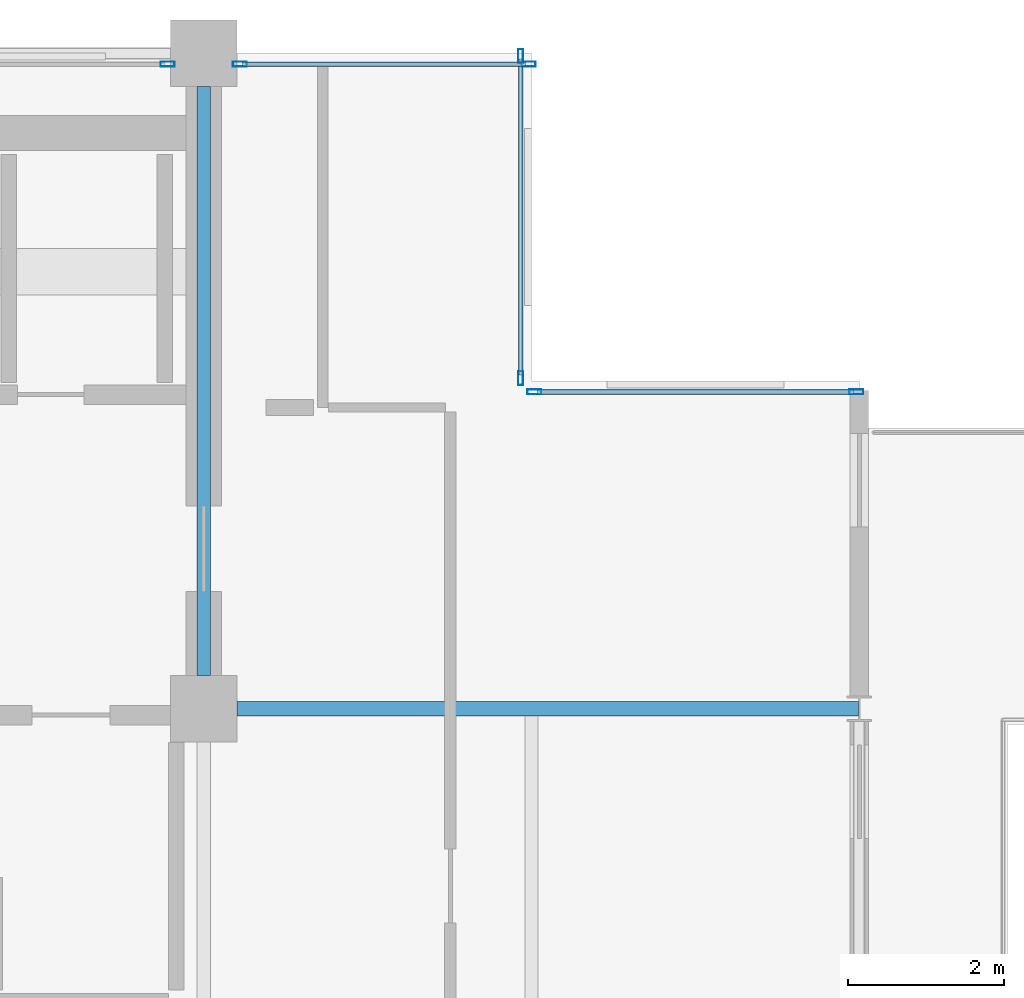
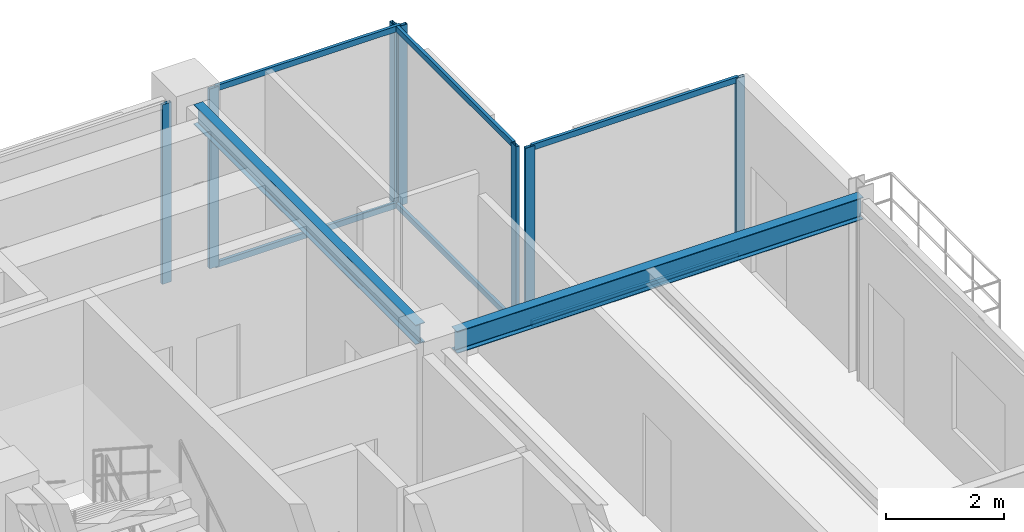
# One storey, part 19 of 26: 13 members, 2 beams, 4 elements without a shape of their own.
"""IFC4 building model written with IfcOpenShell, lengths in metres."""

from ifc_helpers import new_model, si_unit, direction, frame, origin, origin_2d, place, context, subcontext, project, spatial, hollow_rectangle, i_section, extrude, material, layer, layer_set, material_profile, profile_set, type_object, element, aggregate, save


model = new_model("IFC4")

# Units and contexts
model_context = context("Model", 3, precision=1e-05, world=origin(), true_north=direction((0.0, 1.0)))
body_context = subcontext(model_context, "Body", "Model", "MODEL_VIEW")
ifc_project = project(units=[si_unit("LENGTHUNIT", "METRE"), si_unit("AREAUNIT", "SQUARE_METRE"), si_unit("VOLUMEUNIT", "CUBIC_METRE"), si_unit("PLANEANGLEUNIT", "RADIAN"), si_unit("MASSUNIT", "GRAM", prefix="KILO")], contexts=[model_context])

# Site, building, storey
site_placement = place(None, origin())
site = spatial("IfcSite", under=ifc_project, at=site_placement, CompositionType="ELEMENT")
building_placement = place(site_placement, origin())
building = spatial("IfcBuilding", under=site, at=building_placement, Name="Nerrivon Quay Data Exchange", CompositionType="ELEMENT")
storey_placement = place(building_placement, frame((0.0, 0.0, 250.199951171875)))
storey = spatial("IfcBuildingStorey", under=building, at=storey_placement, Name="L59", CompositionType="ELEMENT", Elevation=250.199951171875)

# Beams
ifc_material_1 = material(Name="Steel Grade 350", Category="steel")
ifc_material_profile_1 = material_profile(ifc_material_1, i_section(OverallWidth=0.18994140625, OverallDepth=0.4541015625, WebThickness=0.008544921875, FlangeThickness=0.0126953125, FilletRadius=0.011474609375, at=origin_2d()), Name="460UB67.1")
ifc_profile_set_1 = profile_set([ifc_material_profile_1], Name="Steel Grade 350")
beam_type_1 = type_object("IfcBeamType", Name="BM-G6-460UB67", PredefinedType="BEAM", material=ifc_profile_set_1)
beam_1_placement = place(storey_placement, frame((17.22509765625, 33.60009765625, 3.498046875), z_axis=(1.0, 0.0, 0.0), x_axis=(0.0, 1.0, 0.0)))
element("IfcBeam", 1, at=beam_1_placement, inside=storey, type_object=beam_type_1, Name="L59 EW Girder Y=33.6 (16.8..25.2)", PredefinedType="BEAM", context=body_context, shape_type="SweptSolid", body=[
    extrude(i_section(OverallWidth=0.18994140625, OverallDepth=0.4541015625, WebThickness=0.008544921875, FlangeThickness=0.0126953125, FilletRadius=0.011474609375, at=origin_2d()), origin(), (0.0, 0.0, 1.0), 7.967041015625),
])
ifc_material_profile_2 = material_profile(ifc_material_1, i_section(OverallWidth=0.177978515625, OverallDepth=0.406005859375, WebThickness=0.0078125, FlangeThickness=0.0126953125, FilletRadius=0.011474609375, at=origin_2d()), Name="410UB59.7")
ifc_profile_set_2 = profile_set([ifc_material_profile_2], Name="Steel Grade 350")
beam_type_2 = type_object("IfcBeamType", Name="BM-J1-410UB60", PredefinedType="JOIST", material=ifc_profile_set_2)
beam_2_placement = place(storey_placement, frame((16.800048828125, 34.02490234375, 3.52197265625), z_axis=(0.0, 1.0, 0.0), x_axis=(-1.0, 0.0, 0.0)))
element("IfcBeam", 2, at=beam_2_placement, inside=storey, type_object=beam_type_2, Name="L59 NS Girder X=16.8 (33.6..42.0)", PredefinedType="JOIST", context=body_context, shape_type="SweptSolid", body=[
    extrude(i_section(OverallWidth=0.177978515625, OverallDepth=0.406005859375, WebThickness=0.0078125, FlangeThickness=0.0126953125, FilletRadius=0.011474609375, at=origin_2d()), origin(), (0.0, 0.0, 1.0), 7.550048828125),
])

# Curtain wall, member
ifc_material_2 = material(Name="Anodised aluminium 6063-T6", Category="aluminium")
ifc_layer = layer(ifc_material_2, 0.195068359375)
ifc_layer_set = layer_set([ifc_layer], Name="Anodised aluminium 6063-T6")
curtain_wall_type = type_object("IfcCurtainWallType", Name="CW-SYS-06", PredefinedType="NOTDEFINED", material=ifc_layer_set)
curtain_wall_1_placement = place(storey_placement, origin())
curtain_wall_1 = element("IfcCurtainWall", 3, at=curtain_wall_1_placement, inside=storey, type_object=curtain_wall_type, Name="L59 Unitised Curtain Wall 18", PredefinedType="NOTDEFINED")
ifc_material_profile_3 = material_profile(ifc_material_2, hollow_rectangle(XDim=0.06494140625, YDim=0.179931640625, WallThickness=0.00341796875, at=origin_2d()), Name="ALU-MULL-180x65")
ifc_profile_set_3 = profile_set([ifc_material_profile_3], Name="Anodised aluminium 6063-T6")
member_type_1 = type_object("IfcMemberType", Name="CWM-180x65", PredefinedType="MULLION", material=ifc_profile_set_3)
member_1_placement = place(storey_placement, frame((16.33740234375, 41.860107421875, 0.0), z_axis=(0.0, 0.0, 1.0), x_axis=(0.0, 1.0, 0.0)))
member_1 = element("IfcMember", 4, at=member_1_placement, type_object=member_type_1, Name="CW06 mullion 2", PredefinedType="MULLION", context=body_context, shape_type="SweptSolid", body=[
    extrude(hollow_rectangle(XDim=0.06494140625, YDim=0.179931640625, WallThickness=0.00341796875, at=origin_2d()), origin(), (0.0, 0.0, 1.0), 3.72509765625),
])
aggregate(curtain_wall_1, [member_1])

# Curtain wall, members
curtain_wall_2_placement = place(storey_placement, origin())
curtain_wall_2 = element("IfcCurtainWall", 5, at=curtain_wall_2_placement, inside=storey, type_object=curtain_wall_type, Name="L59 Unitised Curtain Wall 19", PredefinedType="NOTDEFINED")
member_2_placement = place(storey_placement, frame((17.262451171875, 41.860107421875, 0.0), z_axis=(0.0, 0.0, 1.0), x_axis=(0.0, 1.0, 0.0)))
member_2 = element("IfcMember", 6, at=member_2_placement, type_object=member_type_1, Name="CW06 mullion 1", PredefinedType="MULLION", context=body_context, shape_type="SweptSolid", body=[
    extrude(hollow_rectangle(XDim=0.06494140625, YDim=0.179931640625, WallThickness=0.00341796875, at=origin_2d()), origin(), (0.0, 0.0, 1.0), 3.72509765625),
])
member_3_placement = place(storey_placement, frame((20.96240234375, 41.860107421875, 0.0), z_axis=(0.0, 0.0, 1.0), x_axis=(0.0, 1.0, 0.0)))
member_3 = element("IfcMember", 7, at=member_3_placement, type_object=member_type_1, Name="CW06 mullion 2", PredefinedType="MULLION", context=body_context, shape_type="SweptSolid", body=[
    extrude(hollow_rectangle(XDim=0.06494140625, YDim=0.179931640625, WallThickness=0.00341796875, at=origin_2d()), origin(), (0.0, 0.0, 1.0), 3.72509765625),
])

curtain_wall_3_placement = place(storey_placement, origin())
curtain_wall_3 = element("IfcCurtainWall", 8, at=curtain_wall_3_placement, inside=storey, type_object=curtain_wall_type, Name="L59 Unitised Curtain Wall 20", PredefinedType="NOTDEFINED")
member_4_placement = place(storey_placement, frame((20.860107421875, 41.96240234375, 0.0), z_axis=(0.0, 0.0, 1.0), x_axis=(1.0, 0.0, 0.0)))
member_4 = element("IfcMember", 9, at=member_4_placement, type_object=member_type_1, Name="CW06 mullion 1", PredefinedType="MULLION", context=body_context, shape_type="SweptSolid", body=[
    extrude(hollow_rectangle(XDim=0.06494140625, YDim=0.179931640625, WallThickness=0.00341796875, at=origin_2d()), origin(), (0.0, 0.0, 1.0), 3.72509765625),
])
member_5_placement = place(storey_placement, frame((20.860107421875, 37.83740234375, 0.0), z_axis=(0.0, 0.0, 1.0), x_axis=(1.0, 0.0, 0.0)))
member_5 = element("IfcMember", 10, at=member_5_placement, type_object=member_type_1, Name="CW06 mullion 2", PredefinedType="MULLION", context=body_context, shape_type="SweptSolid", body=[
    extrude(hollow_rectangle(XDim=0.06494140625, YDim=0.179931640625, WallThickness=0.00341796875, at=origin_2d()), origin(), (0.0, 0.0, 1.0), 3.72509765625),
])

curtain_wall_4_placement = place(storey_placement, origin())
curtain_wall_4 = element("IfcCurtainWall", 11, at=curtain_wall_4_placement, inside=storey, type_object=curtain_wall_type, Name="L59 Unitised Curtain Wall 21", PredefinedType="NOTDEFINED")
member_6_placement = place(storey_placement, frame((21.03759765625, 37.659912109375, 0.0), z_axis=(0.0, 0.0, 1.0), x_axis=(0.0, 1.0, 0.0)))
member_6 = element("IfcMember", 12, at=member_6_placement, type_object=member_type_1, Name="CW06 mullion 1", PredefinedType="MULLION", context=body_context, shape_type="SweptSolid", body=[
    extrude(hollow_rectangle(XDim=0.06494140625, YDim=0.179931640625, WallThickness=0.00341796875, at=origin_2d()), origin(), (0.0, 0.0, 1.0), 3.72509765625),
])
member_7_placement = place(storey_placement, frame((25.16259765625, 37.659912109375, 0.0), z_axis=(0.0, 0.0, 1.0), x_axis=(0.0, 1.0, 0.0)))
member_7 = element("IfcMember", 13, at=member_7_placement, type_object=member_type_1, Name="CW06 mullion 2", PredefinedType="MULLION", context=body_context, shape_type="SweptSolid", body=[
    extrude(hollow_rectangle(XDim=0.06494140625, YDim=0.179931640625, WallThickness=0.00341796875, at=origin_2d()), origin(), (0.0, 0.0, 1.0), 3.72509765625),
])

# Member
ifc_material_profile_4 = material_profile(ifc_material_2, hollow_rectangle(XDim=0.06005859375, YDim=0.1201171875, WallThickness=0.003173828125, at=origin_2d()), Name="ALU-TRAN-120x60")
ifc_profile_set_4 = profile_set([ifc_material_profile_4], Name="Anodised aluminium 6063-T6")
member_type_2 = type_object("IfcMemberType", Name="CWT-120x60", PredefinedType="USERDEFINED", material=ifc_profile_set_4)
member_8_placement = place(storey_placement, frame((17.300048828125, 41.860107421875, 0.032470703125), z_axis=(1.0, 0.0, 0.0), x_axis=(0.0, 1.0, 0.0)))
member_8 = element("IfcMember", 14, at=member_8_placement, type_object=member_type_2, Name="CW06 transom 1.1", ObjectType="TRANSOM", PredefinedType="USERDEFINED", context=body_context, shape_type="SweptSolid", body=[
    extrude(hollow_rectangle(XDim=0.06005859375, YDim=0.1201171875, WallThickness=0.003173828125, at=origin_2d()), origin(), (0.0, 0.0, 1.0), 3.625),
])

member_9_placement = place(storey_placement, frame((17.300048828125, 41.860107421875, 3.692626953125), z_axis=(1.0, 0.0, 0.0), x_axis=(0.0, 1.0, 0.0)))
member_9 = element("IfcMember", 15, at=member_9_placement, type_object=member_type_2, Name="CW06 transom 1.2", ObjectType="TRANSOM", PredefinedType="USERDEFINED", context=body_context, shape_type="SweptSolid", body=[
    extrude(hollow_rectangle(XDim=0.06005859375, YDim=0.1201171875, WallThickness=0.003173828125, at=origin_2d()), origin(), (0.0, 0.0, 1.0), 3.625),
])

aggregate(curtain_wall_2, [member_2, member_3, member_8, member_9])

member_10_placement = place(storey_placement, frame((20.860107421875, 41.925048828125, 0.032470703125), z_axis=(0.0, -1.0, 0.0), x_axis=(1.0, 0.0, 0.0)))
member_10 = element("IfcMember", 16, at=member_10_placement, type_object=member_type_2, Name="CW06 transom 1.1", ObjectType="TRANSOM", PredefinedType="USERDEFINED", context=body_context, shape_type="SweptSolid", body=[
    extrude(hollow_rectangle(XDim=0.06005859375, YDim=0.1201171875, WallThickness=0.003173828125, at=origin_2d()), origin(), (0.0, 0.0, 1.0), 4.050048828125),
])

member_11_placement = place(storey_placement, frame((20.860107421875, 41.925048828125, 3.692626953125), z_axis=(0.0, -1.0, 0.0), x_axis=(1.0, 0.0, 0.0)))
member_11 = element("IfcMember", 17, at=member_11_placement, type_object=member_type_2, Name="CW06 transom 1.2", ObjectType="TRANSOM", PredefinedType="USERDEFINED", context=body_context, shape_type="SweptSolid", body=[
    extrude(hollow_rectangle(XDim=0.06005859375, YDim=0.1201171875, WallThickness=0.003173828125, at=origin_2d()), origin(), (0.0, 0.0, 1.0), 4.050048828125),
])

aggregate(curtain_wall_3, [member_4, member_5, member_10, member_11])

member_12_placement = place(storey_placement, frame((21.074951171875, 37.659912109375, 0.032470703125), z_axis=(1.0, 0.0, 0.0), x_axis=(0.0, 1.0, 0.0)))
member_12 = element("IfcMember", 18, at=member_12_placement, type_object=member_type_2, Name="CW06 transom 1.1", ObjectType="TRANSOM", PredefinedType="USERDEFINED", context=body_context, shape_type="SweptSolid", body=[
    extrude(hollow_rectangle(XDim=0.06005859375, YDim=0.1201171875, WallThickness=0.003173828125, at=origin_2d()), origin(), (0.0, 0.0, 1.0), 4.050048828125),
])

member_13_placement = place(storey_placement, frame((21.074951171875, 37.659912109375, 3.692626953125), z_axis=(1.0, 0.0, 0.0), x_axis=(0.0, 1.0, 0.0)))
member_13 = element("IfcMember", 19, at=member_13_placement, type_object=member_type_2, Name="CW06 transom 1.2", ObjectType="TRANSOM", PredefinedType="USERDEFINED", context=body_context, shape_type="SweptSolid", body=[
    extrude(hollow_rectangle(XDim=0.06005859375, YDim=0.1201171875, WallThickness=0.003173828125, at=origin_2d()), origin(), (0.0, 0.0, 1.0), 4.050048828125),
])

aggregate(curtain_wall_4, [member_6, member_7, member_12, member_13])

save(model, "model.ifc")
